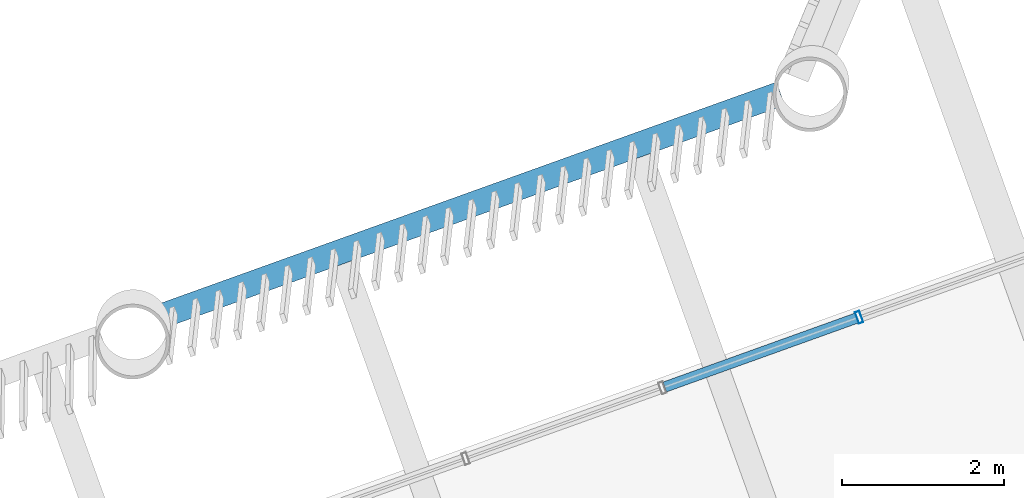
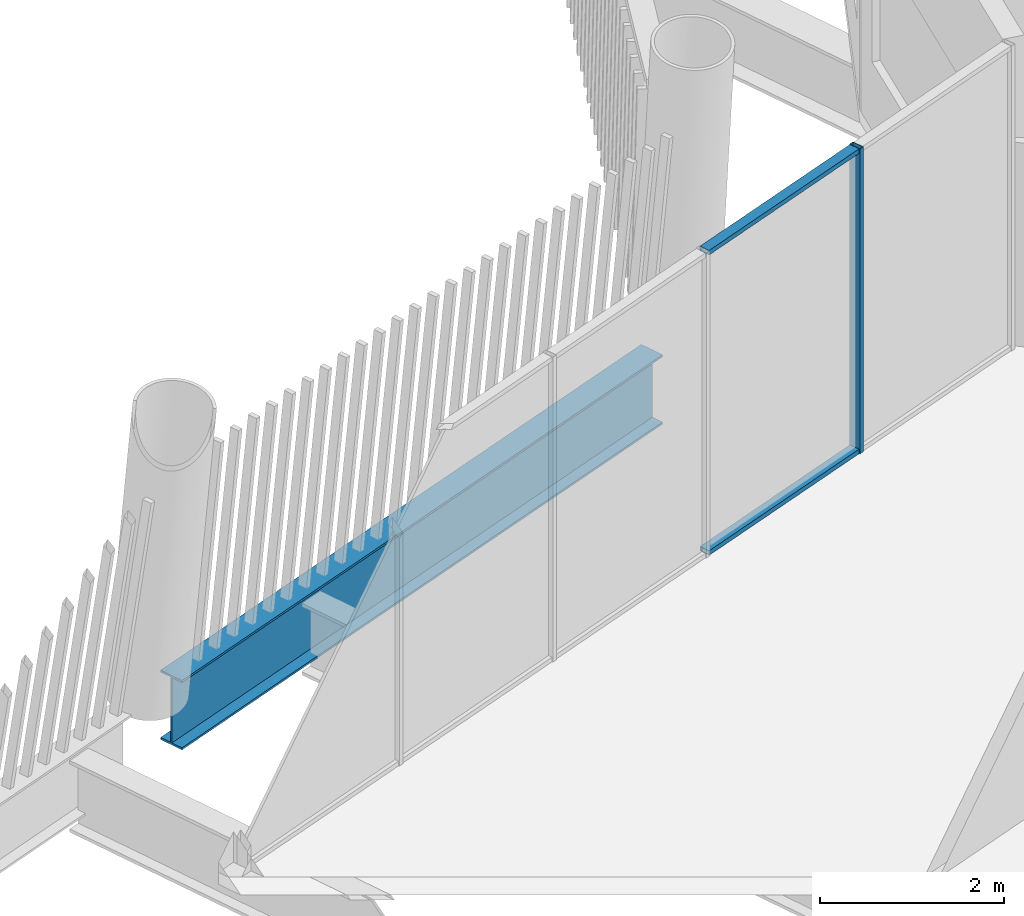
# One storey, part 11 of 28: 3 members, 1 beam, 1 element without a shape of its own.
"""IFC4 building model written with IfcOpenShell, lengths in metres."""

import ifcopenshell
import ifcopenshell.guid

model = None  # the IFC model being written
_history = None  # IfcOwnerHistory: only IFC2X3 demands one
_inside = {}  # id of a spatial element -> (the spatial element, [elements in it])
_under = {}  # id of a project, library or spatial element -> (it, [spatial elements below it])
_declared = {}  # id of a project -> (the project, [libraries it declares])
_typed = {}  # id of a type object -> (the type object, [elements of that type])
_made_of = {}  # id of a material, layer set ... -> (it, [elements and type objects made of it])


def new_model(schema):
    """Start an empty IFC model of exactly this schema.

    Asked for "IFC4X3", IfcOpenShell would pick the latest addendum, in which some entities
    have other attributes; the version numbers below select the first issue.
    IFC2X3 requires an IfcOwnerHistory on every rooted entity: one is made here for all.
    """
    global model, _history
    if schema == "IFC4X3":
        model = ifcopenshell.file(schema_version=(4, 3, 0, 0))
    else:
        model = ifcopenshell.file(schema=schema)
    _inside.clear()
    _under.clear()
    _declared.clear()
    _typed.clear()
    _made_of.clear()
    _history = None
    if model.schema == "IFC2X3":
        org = make("IfcOrganization", Name="unknown")
        user = make(
            "IfcPersonAndOrganization",
            ThePerson=make("IfcPerson", FamilyName="unknown"),
            TheOrganization=org,
        )
        app = make(
            "IfcApplication",
            ApplicationDeveloper=org,
            Version="unknown",
            ApplicationFullName="unknown",
            ApplicationIdentifier="unknown",
        )
        _history = make(
            "IfcOwnerHistory",
            OwningUser=user,
            OwningApplication=app,
            ChangeAction="ADDED",
            CreationDate=0,
        )
    return model


def make(cls, **values):
    """One entity of the class cls with the attributes given. An attribute that is None is left unset."""
    return model.create_entity(
        cls, **{name: value for name, value in values.items() if value is not None}
    )


def rooted(cls, **values):
    """An entity with a GlobalId (a new one), such as an element, a storey or a relation."""
    return make(cls, GlobalId=ifcopenshell.guid.new(), OwnerHistory=_history, **values)


def si_unit(unit_type, name, prefix=None):
    """IfcSIUnit, for example si_unit("LENGTHUNIT", "METRE", prefix="MILLI")."""
    return make("IfcSIUnit", UnitType=unit_type, Prefix=prefix, Name=name)


def assignment(units):
    """IfcUnitAssignment: the units of a project."""
    return None if units is None else make("IfcUnitAssignment", Units=units)


def point(xyz):
    """IfcCartesianPoint."""
    return None if xyz is None else make("IfcCartesianPoint", Coordinates=xyz)


def direction(xyz):
    """IfcDirection."""
    return None if xyz is None else make("IfcDirection", DirectionRatios=xyz)


def frame(location, z_axis=None, x_axis=None):
    """IfcAxis2Placement3D, a coordinate frame: its origin and axes. An axis left out is left unset."""
    return make(
        "IfcAxis2Placement3D",
        Location=point(location),
        Axis=direction(z_axis),
        RefDirection=direction(x_axis),
    )


def frame_2d(location, x_axis=None):
    """IfcAxis2Placement2D, a coordinate frame in the plane: its origin and x axis."""
    return make(
        "IfcAxis2Placement2D", Location=point(location), RefDirection=direction(x_axis)
    )


def origin():
    """The frame at (0, 0, 0) with its axes left unset."""
    return frame((0.0, 0.0, 0.0))


def origin_2d():
    """The frame at (0, 0) in the plane with its x axis left unset."""
    return frame_2d((0.0, 0.0))


def place(relative_to, where):
    """IfcLocalPlacement: puts the frame where relative to a parent placement (None: the world)."""
    return make(
        "IfcLocalPlacement", PlacementRelTo=relative_to, RelativePlacement=where
    )


def context(
    kind, dimensions, precision=None, world=None, true_north=None, identifier=None
):
    """IfcGeometricRepresentationContext, for example the 3D "Model" context."""
    return make(
        "IfcGeometricRepresentationContext",
        ContextIdentifier=identifier,
        ContextType=kind,
        CoordinateSpaceDimension=dimensions,
        Precision=precision,
        WorldCoordinateSystem=world,
        TrueNorth=true_north,
    )


def subcontext(parent, identifier, kind, view, scale=None):
    """IfcGeometricRepresentationSubContext, for example "Body" below "Model"."""
    return make(
        "IfcGeometricRepresentationSubContext",
        ContextIdentifier=identifier,
        ContextType=kind,
        ParentContext=parent,
        TargetScale=scale,
        TargetView=view,
    )


def project(units=None, contexts=None):
    """IfcProject with its units and contexts."""
    return rooted(
        "IfcProject",
        Name="project",
        RepresentationContexts=contexts,
        UnitsInContext=assignment(units),
    )


def spatial(cls, under=None, at=None, **own):
    """A site, building, storey or space (cls), placed at a placement, below another one or the project."""
    s = rooted(cls, ObjectPlacement=at, **own)
    if under is not None:
        _under.setdefault(under.id(), (under, []))[1].append(s)
    return s


def profile(cls, at=None, kind="AREA", **sizes):
    """A parametric profile (cls). Its sizes go by their IFC names, for example OverallWidth=200.0."""
    return make(cls, ProfileType=kind, Position=at, **sizes)


def hollow_rectangle(**sizes):
    """IfcRectangleHollowProfileDef."""
    return profile("IfcRectangleHollowProfileDef", **sizes)


def i_section(**sizes):
    """IfcIShapeProfileDef."""
    return profile("IfcIShapeProfileDef", **sizes)


def extrude(swept, where, along, depth):
    """IfcExtrudedAreaSolid: the profile swept, set in the frame where, extruded along a direction by depth."""
    return make(
        "IfcExtrudedAreaSolid",
        SweptArea=swept,
        Position=where,
        ExtrudedDirection=direction(along),
        Depth=depth,
    )


def shape(context_of_items, identifier, shape_type, items):
    """IfcShapeRepresentation: the items that make up one representation, for example the "Body"."""
    return make(
        "IfcShapeRepresentation",
        ContextOfItems=context_of_items,
        RepresentationIdentifier=identifier,
        RepresentationType=shape_type,
        Items=items,
    )


def material(Name=None, Category=None):
    """IfcMaterial."""
    return make("IfcMaterial", Name=Name, Category=Category)


def layer(
    of_material, thickness, ventilated=None, Name=None, Category=None, Priority=None
):
    """IfcMaterialLayer: one layer of a wall or slab, of a material (None: an air gap)."""
    return make(
        "IfcMaterialLayer",
        Material=of_material,
        LayerThickness=thickness,
        IsVentilated=ventilated,
        Name=Name,
        Category=Category,
        Priority=Priority,
    )


def layer_set(layers, Name=None):
    """IfcMaterialLayerSet."""
    return make("IfcMaterialLayerSet", MaterialLayers=layers, LayerSetName=Name)


def material_profile(
    of_material, cross_section, Name=None, Category=None, Priority=None
):
    """IfcMaterialProfile: a cross section and its material."""
    return make(
        "IfcMaterialProfile",
        Name=Name,
        Material=of_material,
        Profile=cross_section,
        Priority=Priority,
        Category=Category,
    )


def profile_set(profiles, Name=None, composite=None):
    """IfcMaterialProfileSet."""
    return make(
        "IfcMaterialProfileSet",
        Name=Name,
        MaterialProfiles=profiles,
        CompositeProfile=composite,
    )


def made_of(thing, what):
    """Note that an element or type object is made of a material, layer set ...; save() writes the relation."""
    if what is not None:
        _made_of.setdefault(what.id(), (what, []))[1].append(thing)
    return thing


def type_object(cls, material=None, **own):
    """A type object (cls), such as IfcWallType, which elements share."""
    return made_of(rooted(cls, **own), material)


def element(
    cls,
    number,
    at=None,
    inside=None,
    cuts=None,
    type_object=None,
    material=None,
    context=None,
    identifier="Body",
    shape_type=None,
    held_by="IfcProductDefinitionShape",
    body=None,
    shapes=None,
    **own,
):
    """One element of the class cls, such as IfcWall. Its Tag is "e" and its number.

    at: its placement. inside: the storey or other place that contains it. cuts: it is an
    opening in that element (IfcRelVoidsElement). A single representation is given by context,
    identifier, shape_type and body (its items); several are given by shapes. held_by: the class
    of the entity that holds the representations. save() writes the other relations.
    """
    e = rooted(cls, Tag="e%d" % number, ObjectPlacement=at, **own)
    if body is not None:
        shapes = [shape(context, identifier, shape_type, body)]
    if shapes is not None:
        e.Representation = make(held_by, Representations=shapes)
    if inside is not None:
        _inside.setdefault(inside.id(), (inside, []))[1].append(e)
    if cuts is not None:
        rooted(
            "IfcRelVoidsElement", RelatingBuildingElement=cuts, RelatedOpeningElement=e
        )
    if type_object is not None:
        _typed.setdefault(type_object.id(), (type_object, []))[1].append(e)
    return made_of(e, material)


def aggregate(whole, parts):
    """IfcRelAggregates: a whole, such as a stair, and the parts it consists of."""
    return rooted("IfcRelAggregates", RelatingObject=whole, RelatedObjects=parts)


def save(model, path):
    """Write the relations noted so far, then the file.

    IfcRelAggregates (storeys below a building ...), IfcRelContainedInSpatialStructure (elements
    in a storey), IfcRelDefinesByType, IfcRelAssociatesMaterial and IfcRelDeclares: one each for
    every whole, place, type object, material and project.
    """
    for whole, parts in _under.values():
        aggregate(whole, parts)
    for where, things in _inside.values():
        rooted(
            "IfcRelContainedInSpatialStructure",
            RelatedElements=things,
            RelatingStructure=where,
        )
    for kind, things in _typed.values():
        rooted("IfcRelDefinesByType", RelatedObjects=things, RelatingType=kind)
    for what, things in _made_of.values():
        rooted("IfcRelAssociatesMaterial", RelatedObjects=things, RelatingMaterial=what)
    for by, libraries in _declared.values():
        rooted("IfcRelDeclares", RelatingContext=by, RelatedDefinitions=libraries)
    model.write(path)


model = new_model("IFC4")

# Units and contexts
model_context = context("Model", 3, precision=1e-05, world=origin(), true_north=direction((0.0, 1.0)))
body_context = subcontext(model_context, "Body", "Model", "MODEL_VIEW")
ifc_project = project(units=[si_unit("LENGTHUNIT", "METRE"), si_unit("AREAUNIT", "SQUARE_METRE"), si_unit("VOLUMEUNIT", "CUBIC_METRE"), si_unit("PLANEANGLEUNIT", "RADIAN"), si_unit("MASSUNIT", "GRAM", prefix="KILO")], contexts=[model_context])

# Site, building, storey
site_placement = place(None, origin())
site = spatial("IfcSite", under=ifc_project, at=site_placement, CompositionType="ELEMENT")
building_placement = place(site_placement, origin())
building = spatial("IfcBuilding", under=site, at=building_placement, Name="Tarsis Ring Headquarters", CompositionType="ELEMENT")
storey_placement = place(building_placement, frame((0.0, 0.0, 365.0)))
storey = spatial("IfcBuildingStorey", under=building, at=storey_placement, Name="L86", CompositionType="ELEMENT", Elevation=365.0)

# Curtain wall, members
ifc_material_1 = material(Name="Aluminium curtain wall", Category="aluminium")
ifc_layer = layer(ifc_material_1, 0.14990234375)
ifc_layer_set = layer_set([ifc_layer], Name="Curtain wall tower unit")
curtain_wall_type = type_object("IfcCurtainWallType", Name="Curtain wall tower unit", PredefinedType="NOTDEFINED", material=ifc_layer_set)
curtain_wall_placement = place(storey_placement, origin())
curtain_wall = element("IfcCurtainWall", 1, at=curtain_wall_placement, inside=storey, type_object=curtain_wall_type, Name="Curtain wall L86-31", PredefinedType="NOTDEFINED")
ifc_material_2 = material(Name="Aluminium mullion", Category="aluminium")
ifc_material_profile_1 = material_profile(ifc_material_2, hollow_rectangle(XDim=0.14990234375, YDim=0.06005859375, WallThickness=0.0048828125, at=origin_2d()), Name="RHS 150x60x5")
ifc_profile_set_1 = profile_set([ifc_material_profile_1], Name="Aluminium mullion")
member_type_1 = type_object("IfcMemberType", Name="Curtain wall mullion tower unit RHS 150x60x5", PredefinedType="MULLION", material=ifc_profile_set_1)
member_1_placement = place(storey_placement, frame((-27.9462890625, 2.57861328125, 0.0), z_axis=(0.0, 0.0, 1.0), x_axis=(0.338080946421, -0.941117035053, 0.0)))
member_1 = element("IfcMember", 2, at=member_1_placement, type_object=member_type_1, Name="CW-T mullion 2", PredefinedType="MULLION", context=body_context, shape_type="SweptSolid", body=[
    extrude(hollow_rectangle(XDim=0.14990234375, YDim=0.06005859375, WallThickness=0.0048828125, at=origin_2d()), origin(), (0.0, 0.0, 1.0), 4.0400390625),
])
ifc_material_3 = material(Name="Aluminium transom", Category="aluminium")
ifc_material_profile_2 = material_profile(ifc_material_3, hollow_rectangle(XDim=0.1298828125, YDim=0.06005859375, WallThickness=0.0048828125, at=origin_2d()), Name="RHS 130x60x5")
ifc_profile_set_2 = profile_set([ifc_material_profile_2], Name="Aluminium transom")
member_type_2 = type_object("IfcMemberType", Name="Curtain wall transom tower unit RHS 130x60x5", PredefinedType="USERDEFINED", material=ifc_profile_set_2)
member_2_placement = place(storey_placement, frame((-27.974609375, 2.568603515625, 0.030029296875), z_axis=(-0.94111565762, -0.338084780761, 0.0), x_axis=(0.338084780761, -0.94111565762, 0.0)))
member_2 = element("IfcMember", 3, at=member_2_placement, type_object=member_type_2, Name="CW-T transom 2.1", ObjectType="TRANSOM", PredefinedType="USERDEFINED", context=body_context, shape_type="SweptSolid", body=[
    extrude(hollow_rectangle(XDim=0.1298828125, YDim=0.06005859375, WallThickness=0.0048828125, at=origin_2d()), origin(), (0.0, 0.0, 1.0), 2.520263671875),
])
member_3_placement = place(storey_placement, frame((-27.974609375, 2.568603515625, 4.010009765625), z_axis=(-0.94111565762, -0.338084780761, 0.0), x_axis=(0.338084780761, -0.94111565762, 0.0)))
member_3 = element("IfcMember", 4, at=member_3_placement, type_object=member_type_2, Name="CW-T transom 2.2", ObjectType="TRANSOM", PredefinedType="USERDEFINED", context=body_context, shape_type="SweptSolid", body=[
    extrude(hollow_rectangle(XDim=0.1298828125, YDim=0.06005859375, WallThickness=0.0048828125, at=origin_2d()), origin(), (0.0, 0.0, 1.0), 2.520263671875),
])
aggregate(curtain_wall, [member_1, member_2, member_3])

# Beam
ifc_material_4 = material(Name="Structural steel S355", Category="steel")
ifc_material_profile_3 = material_profile(ifc_material_4, i_section(OverallWidth=0.3046875, OverallDepth=0.91943359375, WebThickness=0.017333984375, FlangeThickness=0.02783203125, at=origin_2d()), Name="W36x170")
ifc_profile_set_3 = profile_set([ifc_material_profile_3], Name="Structural steel S355")
beam_type = type_object("IfcBeamType", Name="XG Ring girder W36x170", PredefinedType="BEAM", material=ifc_profile_set_3)
beam_placement = place(storey_placement, frame((-28.91455078125, 5.3388671875, -0.459716796875), z_axis=(-0.94111678585, -0.338081640126, 0.0), x_axis=(0.338081640126, -0.94111678585, 0.0)))
element("IfcBeam", 5, at=beam_placement, inside=storey, type_object=beam_type, Name="Ring girder XG4", PredefinedType="BEAM", context=body_context, shape_type="SweptSolid", body=[
    extrude(i_section(OverallWidth=0.3046875, OverallDepth=0.91943359375, WebThickness=0.017333984375, FlangeThickness=0.02783203125, at=origin_2d()), origin(), (0.0, 0.0, 1.0), 8.079345703125),
])

save(model, "model.ifc")
